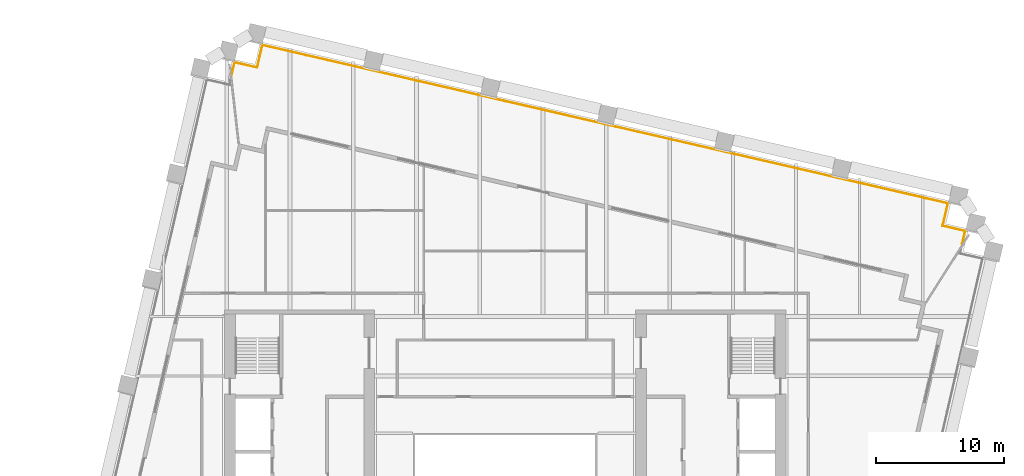
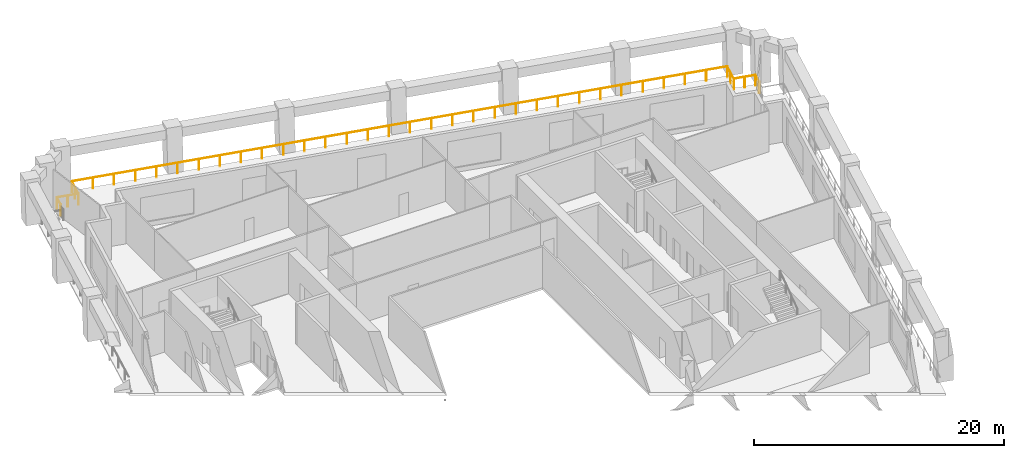
# One storey, part 10 of 10: 1 railing.
"""IFC4 building model written with IfcOpenShell, lengths in metres."""

from ifc_helpers import new_model, si_unit, direction, frame, origin, origin_2d, place, context, subcontext, project, spatial, circle, extrude, material, type_object, element, save


model = new_model("IFC4")

# Units and contexts
model_context = context("Model", 3, precision=1e-05, world=origin(), true_north=direction((0.0, 1.0)))
body_context = subcontext(model_context, "Body", "Model", "MODEL_VIEW")
ifc_project = project(units=[si_unit("LENGTHUNIT", "METRE"), si_unit("AREAUNIT", "SQUARE_METRE"), si_unit("VOLUMEUNIT", "CUBIC_METRE"), si_unit("PLANEANGLEUNIT", "RADIAN"), si_unit("MASSUNIT", "GRAM", prefix="KILO")], contexts=[model_context])

# Site, building, storey
site_placement = place(None, origin())
site = spatial("IfcSite", under=ifc_project, at=site_placement, CompositionType="ELEMENT")
building_placement = place(site_placement, origin())
building = spatial("IfcBuilding", under=site, at=building_placement, Name="Ogive Exchange Tower", CompositionType="ELEMENT")
storey_placement = place(building_placement, frame((0.0, 0.0, 147.60009765625)))
storey = spatial("IfcBuildingStorey", under=building, at=storey_placement, Name="L32", CompositionType="ELEMENT", Elevation=147.60009765625)

# Railing
ifc_material = material(Name="Stainless steel 316", Category="steel")
railing_type = type_object("IfcRailingType", Name="Guard 1100 stainless steel and glass", PredefinedType="GUARDRAIL", material=ifc_material)
railing_placement = place(storey_placement, frame((-21.285400390625, 44.01953125, -0.050048828125)))
element("IfcRailing", 1, at=railing_placement, inside=storey, type_object=railing_type, Name="Loggia guard 3", PredefinedType="GUARDRAIL", context=body_context, shape_type="SweptSolid", body=[
    extrude(circle(Radius=0.02392578125, at=origin_2d()), frame((0.0, 0.0, 1.076171875), z_axis=(0.224876922989, 0.974387176387, 0.0), x_axis=(-0.974387176387, 0.224876922989, 0.0)), (0.0, 0.0, 1.0), 1.023681640625),
    extrude(circle(Radius=0.02392578125, at=origin_2d()), frame((0.230224609375, 0.99755859375, 1.076171875), z_axis=(0.974386623598, -0.224879318197, 0.0), x_axis=(0.224879318197, 0.974386623598, 0.0)), (0.0, 0.0, 1.0), 1.800048828125),
    extrude(circle(Radius=0.02392578125, at=origin_2d()), frame((1.984130859375, 0.5927734375, 1.076171875), z_axis=(0.224879318197, 0.974386623598, 0.0), x_axis=(-0.974386623598, 0.224879318197, 0.0)), (0.0, 0.0, 1.0), 1.800048828125),
    extrude(circle(Radius=0.02392578125, at=origin_2d()), frame((2.388916015625, 2.3466796875, 1.076171875), z_axis=(0.974370076807, -0.224951002271, 0.0), x_axis=(0.224951002271, 0.974370076807, 0.0)), (0.0, 0.0, 1.0), 54.76025390625),
    extrude(circle(Radius=0.02392578125, at=origin_2d()), frame((55.74560546875, -9.9716796875, 1.076171875), z_axis=(-0.225008086135, -0.974356896201, 0.0), x_axis=(0.974356896201, -0.225008086135, 0.0)), (0.0, 0.0, 1.0), 1.800048828125),
    extrude(circle(Radius=0.02392578125, at=origin_2d()), frame((55.340576171875, -11.7255859375, 1.076171875), z_axis=(0.974386623598, -0.224879318197, 0.0), x_axis=(0.224879318197, 0.974386623598, 0.0)), (0.0, 0.0, 1.0), 1.800048828125),
    extrude(circle(Radius=0.02392578125, at=origin_2d()), frame((57.094482421875, -12.13037109375, 1.076171875), z_axis=(-0.224876922989, -0.974387176387, 0.0), x_axis=(0.974387176387, -0.224876922989, 0.0)), (0.0, 0.0, 1.0), 1.023681640625),
    extrude(circle(Radius=0.02099609375, at=origin_2d()), origin(), (0.0, 0.0, 1.0), 1.052001953125),
    extrude(circle(Radius=0.02099609375, at=origin_2d()), frame((0.230224609375, 0.99755859375, 0.0)), (0.0, 0.0, 1.0), 1.052001953125),
    extrude(circle(Radius=0.02099609375, at=origin_2d()), frame((1.107177734375, 0.795166015625, 0.0)), (0.0, 0.0, 1.0), 1.052001953125),
    extrude(circle(Radius=0.02099609375, at=origin_2d()), frame((1.984130859375, 0.5927734375, 0.0)), (0.0, 0.0, 1.0), 1.052001953125),
    extrude(circle(Radius=0.02099609375, at=origin_2d()), frame((2.1865234375, 1.4697265625, 0.0)), (0.0, 0.0, 1.0), 1.052001953125),
    extrude(circle(Radius=0.02099609375, at=origin_2d()), frame((2.388916015625, 2.3466796875, 0.0)), (0.0, 0.0, 1.0), 1.052001953125),
    extrude(circle(Radius=0.02099609375, at=origin_2d()), frame((4.110107421875, 1.94921875, 0.0)), (0.0, 0.0, 1.0), 1.052001953125),
    extrude(circle(Radius=0.02099609375, at=origin_2d()), frame((5.831298828125, 1.552001953125, 0.0)), (0.0, 0.0, 1.0), 1.052001953125),
    extrude(circle(Radius=0.02099609375, at=origin_2d()), frame((7.552490234375, 1.154541015625, 0.0)), (0.0, 0.0, 1.0), 1.052001953125),
    extrude(circle(Radius=0.02099609375, at=origin_2d()), frame((9.273681640625, 0.75732421875, 0.0)), (0.0, 0.0, 1.0), 1.052001953125),
    extrude(circle(Radius=0.02099609375, at=origin_2d()), frame((10.994873046875, 0.35986328125, 0.0)), (0.0, 0.0, 1.0), 1.052001953125),
    extrude(circle(Radius=0.02099609375, at=origin_2d()), frame((12.716064453125, -0.03759765625, 0.0)), (0.0, 0.0, 1.0), 1.052001953125),
    extrude(circle(Radius=0.02099609375, at=origin_2d()), frame((14.437255859375, -0.434814453125, 0.0)), (0.0, 0.0, 1.0), 1.052001953125),
    extrude(circle(Radius=0.02099609375, at=origin_2d()), frame((16.158447265625, -0.832275390625, 0.0)), (0.0, 0.0, 1.0), 1.052001953125),
    extrude(circle(Radius=0.02099609375, at=origin_2d()), frame((17.879638671875, -1.229736328125, 0.0)), (0.0, 0.0, 1.0), 1.052001953125),
    extrude(circle(Radius=0.02099609375, at=origin_2d()), frame((19.600830078125, -1.626953125, 0.0)), (0.0, 0.0, 1.0), 1.052001953125),
    extrude(circle(Radius=0.02099609375, at=origin_2d()), frame((21.322021484375, -2.0244140625, 0.0)), (0.0, 0.0, 1.0), 1.052001953125),
    extrude(circle(Radius=0.02099609375, at=origin_2d()), frame((23.043212890625, -2.421630859375, 0.0)), (0.0, 0.0, 1.0), 1.052001953125),
    extrude(circle(Radius=0.02099609375, at=origin_2d()), frame((24.764404296875, -2.819091796875, 0.0)), (0.0, 0.0, 1.0), 1.052001953125),
    extrude(circle(Radius=0.02099609375, at=origin_2d()), frame((26.485595703125, -3.216552734375, 0.0)), (0.0, 0.0, 1.0), 1.052001953125),
    extrude(circle(Radius=0.02099609375, at=origin_2d()), frame((28.206787109375, -3.61376953125, 0.0)), (0.0, 0.0, 1.0), 1.052001953125),
    extrude(circle(Radius=0.02099609375, at=origin_2d()), frame((29.927734375, -4.01123046875, 0.0)), (0.0, 0.0, 1.0), 1.052001953125),
    extrude(circle(Radius=0.02099609375, at=origin_2d()), frame((31.64892578125, -4.408447265625, 0.0)), (0.0, 0.0, 1.0), 1.052001953125),
    extrude(circle(Radius=0.02099609375, at=origin_2d()), frame((33.3701171875, -4.805908203125, 0.0)), (0.0, 0.0, 1.0), 1.052001953125),
    extrude(circle(Radius=0.02099609375, at=origin_2d()), frame((35.09130859375, -5.203369140625, 0.0)), (0.0, 0.0, 1.0), 1.052001953125),
    extrude(circle(Radius=0.02099609375, at=origin_2d()), frame((36.8125, -5.6005859375, 0.0)), (0.0, 0.0, 1.0), 1.052001953125),
    extrude(circle(Radius=0.02099609375, at=origin_2d()), frame((38.53369140625, -5.998046875, 0.0)), (0.0, 0.0, 1.0), 1.052001953125),
    extrude(circle(Radius=0.02099609375, at=origin_2d()), frame((40.2548828125, -6.395263671875, 0.0)), (0.0, 0.0, 1.0), 1.052001953125),
    extrude(circle(Radius=0.02099609375, at=origin_2d()), frame((41.97607421875, -6.792724609375, 0.0)), (0.0, 0.0, 1.0), 1.052001953125),
    extrude(circle(Radius=0.02099609375, at=origin_2d()), frame((43.697265625, -7.190185546875, 0.0)), (0.0, 0.0, 1.0), 1.052001953125),
    extrude(circle(Radius=0.02099609375, at=origin_2d()), frame((45.41845703125, -7.58740234375, 0.0)), (0.0, 0.0, 1.0), 1.052001953125),
    extrude(circle(Radius=0.02099609375, at=origin_2d()), frame((47.1396484375, -7.98486328125, 0.0)), (0.0, 0.0, 1.0), 1.052001953125),
    extrude(circle(Radius=0.02099609375, at=origin_2d()), frame((48.86083984375, -8.38232421875, 0.0)), (0.0, 0.0, 1.0), 1.052001953125),
    extrude(circle(Radius=0.02099609375, at=origin_2d()), frame((50.58203125, -8.779541015625, 0.0)), (0.0, 0.0, 1.0), 1.052001953125),
    extrude(circle(Radius=0.02099609375, at=origin_2d()), frame((52.30322265625, -9.177001953125, 0.0)), (0.0, 0.0, 1.0), 1.052001953125),
    extrude(circle(Radius=0.02099609375, at=origin_2d()), frame((54.0244140625, -9.57421875, 0.0)), (0.0, 0.0, 1.0), 1.052001953125),
    extrude(circle(Radius=0.02099609375, at=origin_2d()), frame((55.74560546875, -9.9716796875, 0.0)), (0.0, 0.0, 1.0), 1.052001953125),
    extrude(circle(Radius=0.02099609375, at=origin_2d()), frame((55.54296875, -10.8486328125, 0.0)), (0.0, 0.0, 1.0), 1.052001953125),
    extrude(circle(Radius=0.02099609375, at=origin_2d()), frame((55.340576171875, -11.7255859375, 0.0)), (0.0, 0.0, 1.0), 1.052001953125),
    extrude(circle(Radius=0.02099609375, at=origin_2d()), frame((56.217529296875, -11.927978515625, 0.0)), (0.0, 0.0, 1.0), 1.052001953125),
    extrude(circle(Radius=0.02099609375, at=origin_2d()), frame((57.094482421875, -12.13037109375, 0.0)), (0.0, 0.0, 1.0), 1.052001953125),
    extrude(circle(Radius=0.02099609375, at=origin_2d()), frame((56.8642578125, -13.1279296875, 0.0)), (0.0, 0.0, 1.0), 1.052001953125),
])

save(model, "model.ifc")
